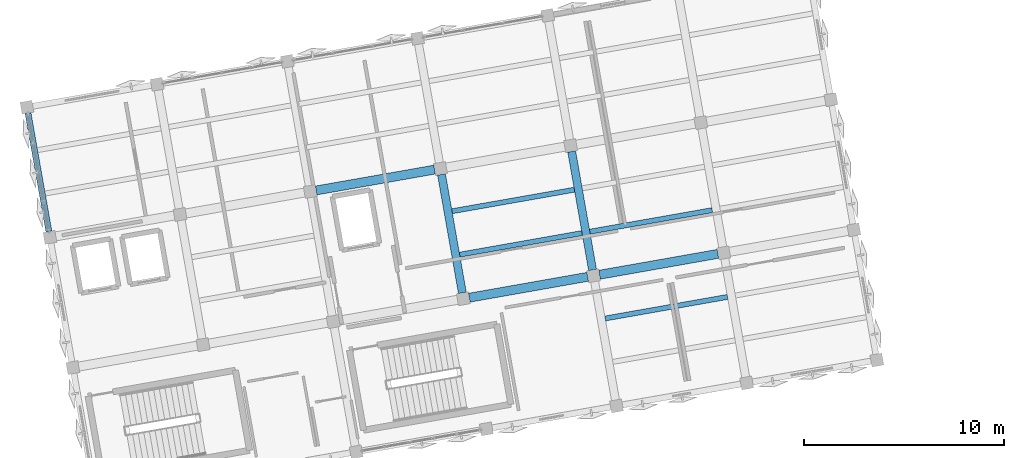
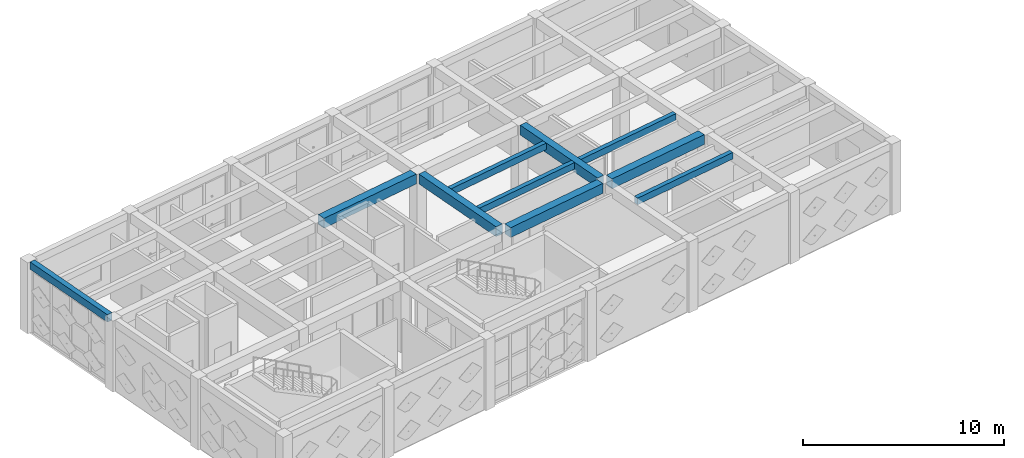
# One storey, part 5 of 36: 10 beams.
"""IFC4 building model written with IfcOpenShell, lengths in metres."""

from ifc_helpers import new_model, si_unit, direction, frame, origin, origin_2d, place, context, subcontext, project, spatial, rectangle, extrude, material, material_profile, profile_set, type_object, element, save


model = new_model("IFC4")

# Units and contexts
model_context = context("Model", 3, precision=1e-05, world=origin(), true_north=direction((0.0, 1.0)))
body_context = subcontext(model_context, "Body", "Model", "MODEL_VIEW")
ifc_project = project(units=[si_unit("LENGTHUNIT", "METRE"), si_unit("AREAUNIT", "SQUARE_METRE"), si_unit("VOLUMEUNIT", "CUBIC_METRE"), si_unit("PLANEANGLEUNIT", "RADIAN"), si_unit("MASSUNIT", "GRAM", prefix="KILO")], contexts=[model_context])

# Site, building, storey
site_placement = place(None, origin())
site = spatial("IfcSite", under=ifc_project, at=site_placement, CompositionType="ELEMENT")
building_placement = place(site_placement, origin())
building = spatial("IfcBuilding", under=site, at=building_placement, Name="Kharisveld Research Institute", CompositionType="ELEMENT")
storey_placement = place(building_placement, frame((0.0, 0.0, 27.60009765625)))
storey = spatial("IfcBuildingStorey", under=building, at=storey_placement, Name="L06", CompositionType="ELEMENT", Elevation=27.60009765625)

# Beams
ifc_material_1 = material(Name="Concrete C40/50", Category="concrete")
ifc_material_profile_1 = material_profile(ifc_material_1, rectangle(XDim=0.39990234375, YDim=0.60009765625, at=origin_2d()))
ifc_profile_set_1 = profile_set([ifc_material_profile_1], Name="Concrete C40/50")
beam_type_1 = type_object("IfcBeamType", Name="BM_RC_400x600", PredefinedType="BEAM", material=ifc_profile_set_1)
for number, where, z_axis, x_axis, name in (
    (1, (23.5009765625, 45.243408203125, 4.02001953125), (-0.173622845926, 0.984812219346, 0.0), (-0.984812219346, -0.173622845926, 0.0), "BM:V1:L06:V3_1"),
    (2, (30.000732421875, 46.389404296875, 4.02001953125), (-0.173622845926, 0.984812219346, 0.0), (-0.984812219346, -0.173622845926, 0.0), "BM:V1:L06:V4_1"),
):
    element("IfcBeam", number, at=place(storey_placement, frame(where, z_axis=z_axis, x_axis=x_axis)), inside=storey, type_object=beam_type_1, Name=name, PredefinedType="BEAM", context=body_context, shape_type="SweptSolid", body=[
        extrude(rectangle(XDim=0.39990234375, YDim=0.60009765625, at=origin_2d()), origin(), (0.0, 0.0, 1.0), 6.0),
    ])
ifc_material_2 = material(Name="Concrete C40/50", Category="concrete")
ifc_material_profile_2 = material_profile(ifc_material_2, rectangle(XDim=0.449951171875, YDim=0.60009765625, at=origin_2d()))
ifc_profile_set_2 = profile_set([ifc_material_profile_2], Name="Concrete C40/50")
beam_type_2 = type_object("IfcBeamType", Name="BM_RC_450x600", PredefinedType="BEAM", material=ifc_profile_set_2)
for number, where, z_axis, x_axis, name in (
    (3, (23.8486328125, 45.0, 4.02001953125), (0.984804034035, 0.173669267716, 0.0), (-0.173669267716, 0.984804034035, 0.0), "BM:V1:L06:U3_1"),
    (4, (30.348388671875, 46.146240234375, 4.02001953125), (0.984810992686, 0.173629803561, 0.0), (-0.173629803561, 0.984810992686, 0.0), "BM:V1:L06:U4_1"),
):
    element("IfcBeam", number, at=place(storey_placement, frame(where, z_axis=z_axis, x_axis=x_axis)), inside=storey, type_object=beam_type_2, Name=name, PredefinedType="BEAM", context=body_context, shape_type="SweptSolid", body=[
        extrude(rectangle(XDim=0.449951171875, YDim=0.60009765625, at=origin_2d()), origin(), (0.0, 0.0, 1.0), 5.999755859375),
    ])
beam_1_placement = place(storey_placement, frame((16.20263671875, 50.353759765625, 4.02001953125), z_axis=(0.984812219346, 0.173622845926, 0.0), x_axis=(-0.173622845926, 0.984812219346, 0.0)))
element("IfcBeam", 5, at=beam_1_placement, inside=storey, type_object=beam_type_2, Name="BM:V1:L06:U2_2", PredefinedType="BEAM", context=body_context, shape_type="SweptSolid", body=[
    extrude(rectangle(XDim=0.449951171875, YDim=0.60009765625, at=origin_2d()), origin(), (0.0, 0.0, 1.0), 6.0),
])
ifc_material_3 = material(Name="Concrete C40/50", Category="concrete")
ifc_material_profile_3 = material_profile(ifc_material_3, rectangle(XDim=0.300048828125, YDim=0.449951171875, at=origin_2d()))
ifc_profile_set_3 = profile_set([ifc_material_profile_3], Name="Concrete C40/50")
beam_type_3 = type_object("IfcBeamType", Name="SP_RC_300x450", PredefinedType="SPANDREL", material=ifc_profile_set_3)
beam_2_placement = place(storey_placement, frame((2.855712890625, 48.304931640625, 4.094970703125), z_axis=(-0.173622845926, 0.984812219346, 0.0), x_axis=(-0.984812219346, -0.173622845926, 0.0)))
element("IfcBeam", 6, at=beam_2_placement, inside=storey, type_object=beam_type_3, Name="BM:V1:L06:V0_2", PredefinedType="SPANDREL", context=body_context, shape_type="SweptSolid", body=[
    extrude(rectangle(XDim=0.300048828125, YDim=0.449951171875, at=origin_2d()), origin(), (0.0, 0.0, 1.0), 6.0),
])
ifc_material_4 = material(Name="Concrete C40/50", Category="concrete")
ifc_material_profile_4 = material_profile(ifc_material_4, rectangle(XDim=0.25, YDim=0.39990234375, at=origin_2d()))
ifc_profile_set_4 = profile_set([ifc_material_profile_4], Name="Concrete C40/50")
beam_type_4 = type_object("IfcBeamType", Name="WB_RC_250x400", PredefinedType="JOIST", material=ifc_profile_set_4)
for number, where, z_axis, x_axis, name in (
    (7, (23.3681640625, 47.149169921875, 4.119873046875), (0.984806146634, 0.173657287643, 0.0), (-0.173657287643, 0.984806146634, 0.0), "BM:V1:L06:J_3_1_R1"),
    (8, (22.986083984375, 49.31591796875, 4.119873046875), (0.984806146634, 0.173657287643, 0.0), (-0.173657287643, 0.984806146634, 0.0), "BM:V1:L06:J_3_1_R2"),
    (9, (30.6318359375, 43.962158203125, 4.119873046875), (0.984806146634, 0.173657287643, 0.0), (-0.173657287643, 0.984806146634, 0.0), "BM:V1:L06:J_4_0_R2"),
):
    element("IfcBeam", number, at=place(storey_placement, frame(where, z_axis=z_axis, x_axis=x_axis)), inside=storey, type_object=beam_type_4, Name=name, PredefinedType="JOIST", context=body_context, shape_type="SweptSolid", body=[
        extrude(rectangle(XDim=0.25, YDim=0.39990234375, at=origin_2d()), origin(), (0.0, 0.0, 1.0), 6.199951171875),
    ])
beam_3_placement = place(storey_placement, frame((29.86767578125, 48.29541015625, 4.119873046875), z_axis=(0.984807334084, 0.173650553511, 0.0), x_axis=(-0.173650553511, 0.984807334084, 0.0)))
element("IfcBeam", 10, at=beam_3_placement, inside=storey, type_object=beam_type_4, Name="BM:V1:L06:J_4_1_R1", PredefinedType="JOIST", context=body_context, shape_type="SweptSolid", body=[
    extrude(rectangle(XDim=0.25, YDim=0.39990234375, at=origin_2d()), origin(), (0.0, 0.0, 1.0), 6.2001953125),
])

save(model, "model.ifc")
